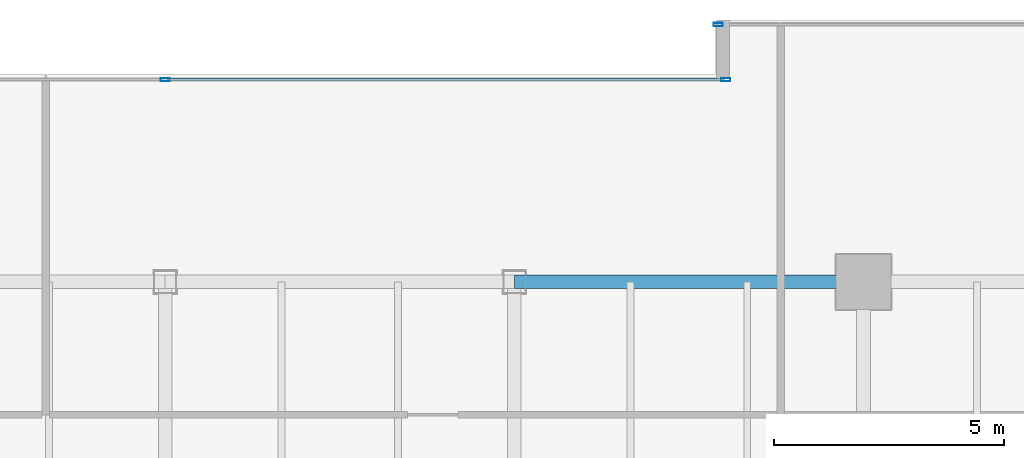
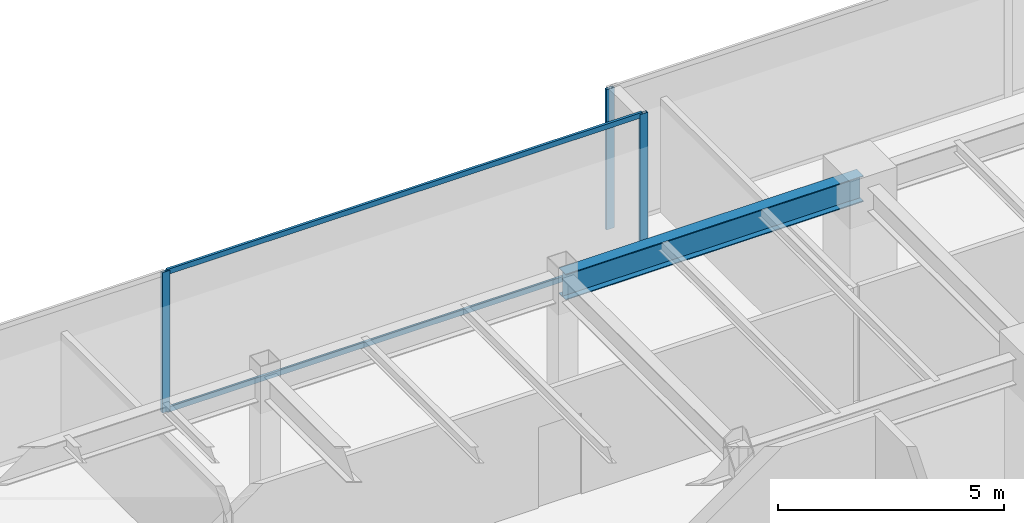
# One storey, part 18 of 33: 5 members, 1 beam, 2 elements without a shape of their own.
"""IFC4 building model written with IfcOpenShell, lengths in metres."""

from ifc_helpers import new_model, si_unit, direction, frame, origin, origin_2d, place, context, subcontext, project, spatial, hollow_rectangle, i_section, extrude, source, transform, mapped, material, layer, layer_set, material_profile, profile_set, type_object, type_shapes, element, aggregate, save


model = new_model("IFC4")

# Units and contexts
model_context = context("Model", 3, precision=1e-05, world=origin(), true_north=direction((0.0, 1.0)))
body_context = subcontext(model_context, "Body", "Model", "MODEL_VIEW")
ifc_project = project(units=[si_unit("LENGTHUNIT", "METRE"), si_unit("AREAUNIT", "SQUARE_METRE"), si_unit("VOLUMEUNIT", "CUBIC_METRE"), si_unit("PLANEANGLEUNIT", "RADIAN"), si_unit("MASSUNIT", "GRAM", prefix="KILO")], contexts=[model_context])

# Site, building, storey
site_placement = place(None, origin())
site = spatial("IfcSite", under=ifc_project, at=site_placement, CompositionType="ELEMENT")
building_placement = place(site_placement, origin())
building = spatial("IfcBuilding", under=site, at=building_placement, Name="Haelvirn Gate Laboratories", CompositionType="ELEMENT")
storey_placement = place(building_placement, frame((0.0, 0.0, 117.39990234375)))
storey = spatial("IfcBuildingStorey", under=building, at=storey_placement, Name="L28", CompositionType="ELEMENT", Elevation=117.39990234375)

# Beam
ifc_material_1 = material(Name="Steel SM355", Category="steel")
ifc_material_profile_1 = material_profile(ifc_material_1, i_section(OverallWidth=0.300048828125, OverallDepth=0.699951171875, WebThickness=0.012939453125, FlangeThickness=0.02392578125, at=origin_2d()), Name="H-700x300x13x24")
ifc_profile_set_1 = profile_set([ifc_material_profile_1], Name="Steel SM355")
beam_type = type_object("IfcBeamType", Name="BM-G-700", PredefinedType="BEAM", material=ifc_profile_set_1)
shared_shape_1 = source(origin(), body_context, "Body", "SweptSolid", [
    extrude(i_section(OverallWidth=0.300048828125, OverallDepth=0.699951171875, WebThickness=0.012939453125, FlangeThickness=0.02392578125, at=origin_2d()), origin(), (0.0, 0.0, 1.0), 7.60009765625),
])
type_shapes(beam_type, [shared_shape_1])
beam_placement = place(storey_placement, frame((45.0, 41.60009765625, 3.440185546875), z_axis=(1.0, 0.0, 0.0), x_axis=(0.0, 1.0, 0.0)))
element("IfcBeam", 1, at=beam_placement, inside=storey, type_object=beam_type, Name="L28 Primary Girder Y41.6 (45.0-52.6)", PredefinedType="BEAM", context=body_context, shape_type="MappedRepresentation", body=[
    mapped(shared_shape_1, transform((0.0, 0.0, 0.0), scale=1.0)),
])

# Curtain wall, members
ifc_material_2 = material(Name="Anodised bronze unitised aluminium & triple low-E glass", Category="aluminium")
ifc_layer = layer(ifc_material_2, 0.179931640625, Name="CW-SYS-3")
ifc_layer_set = layer_set([ifc_layer], Name="Anodised bronze unitised aluminium & triple low-E glass")
curtain_wall_type = type_object("IfcCurtainWallType", Name="CW-SYS-3", PredefinedType="NOTDEFINED", material=ifc_layer_set)
curtain_wall_1_placement = place(storey_placement, origin())
curtain_wall_1 = element("IfcCurtainWall", 2, at=curtain_wall_1_placement, inside=storey, type_object=curtain_wall_type, Name="L28 Unitised Curtain Wall CW-L28-P0-E12-1", PredefinedType="NOTDEFINED")
ifc_material_3 = material(Name="Extruded aluminium 6063-T6 (anodised bronze)", Category="aluminium")
ifc_material_profile_2 = material_profile(ifc_material_3, hollow_rectangle(XDim=0.06494140625, YDim=0.139892578125, WallThickness=0.00390625, at=origin_2d()), Name="CWT-140x65x4")
ifc_profile_set_2 = profile_set([ifc_material_profile_2], Name="Extruded aluminium 6063-T6 (anodised bronze)")
member_type_1 = type_object("IfcMemberType", Name="CWT-T140", PredefinedType="USERDEFINED", material=ifc_profile_set_2)
shared_shape_2 = source(origin(), body_context, "Body", "SweptSolid", [
    extrude(hollow_rectangle(XDim=0.06494140625, YDim=0.139892578125, WallThickness=0.00390625, at=origin_2d()), origin(), (0.0, 0.0, 1.0), 12.12744140625),
])
type_shapes(member_type_1, [shared_shape_2])
member_1_placement = place(storey_placement, frame((37.4375, 46.0, 0.03271484375), z_axis=(1.0, 0.0, 0.0), x_axis=(0.0, 1.0, 0.0)))
member_1 = element("IfcMember", 3, at=member_1_placement, type_object=member_type_1, Name="CW3 transom 2.1", ObjectType="TRANSOM", PredefinedType="USERDEFINED", context=body_context, shape_type="MappedRepresentation", body=[
    mapped(shared_shape_2, transform((0.0, 0.0, 0.0), scale=1.0)),
])
member_2_placement = place(storey_placement, frame((37.4375, 46.0, 3.757568359375), z_axis=(1.0, 0.0, 0.0), x_axis=(0.0, 1.0, 0.0)))
member_2 = element("IfcMember", 4, at=member_2_placement, type_object=member_type_1, Name="CW3 transom 2.2", ObjectType="TRANSOM", PredefinedType="USERDEFINED", context=body_context, shape_type="MappedRepresentation", body=[
    mapped(shared_shape_2, transform((0.0, 0.0, 0.0), scale=1.0)),
])

# Curtain wall, member
curtain_wall_2_placement = place(storey_placement, origin())
curtain_wall_2 = element("IfcCurtainWall", 5, at=curtain_wall_2_placement, inside=storey, type_object=curtain_wall_type, Name="L28 Unitised Curtain Wall CW-L28-P0-E10-1", PredefinedType="NOTDEFINED")
ifc_material_profile_3 = material_profile(ifc_material_3, hollow_rectangle(XDim=0.074951171875, YDim=0.199951171875, WallThickness=0.0048828125, at=origin_2d()), Name="CWM-200x75x5")
ifc_profile_set_3 = profile_set([ifc_material_profile_3], Name="Extruded aluminium 6063-T6 (anodised bronze)")
member_type_2 = type_object("IfcMemberType", Name="CWM-T200", PredefinedType="MULLION", material=ifc_profile_set_3)
shared_shape_3 = source(origin(), body_context, "Body", "SweptSolid", [
    extrude(hollow_rectangle(XDim=0.074951171875, YDim=0.199951171875, WallThickness=0.0048828125, at=origin_2d()), origin(), (0.0, 0.0, 1.0), 3.7900390625),
])
type_shapes(member_type_2, [shared_shape_3])
member_3_placement = place(storey_placement, frame((49.4375, 47.199951171875, 0.0), z_axis=(0.0, 0.0, 1.0), x_axis=(0.0, 1.0, 0.0)))
member_3 = element("IfcMember", 6, at=member_3_placement, type_object=member_type_2, Name="CW3 mullion 1", PredefinedType="MULLION", context=body_context, shape_type="MappedRepresentation", body=[
    mapped(shared_shape_3, transform((0.0, 0.0, 0.0), scale=1.0)),
])
aggregate(curtain_wall_2, [member_3])

# Member
member_4_placement = place(storey_placement, frame((37.39990234375, 46.0, 0.0), z_axis=(0.0, 0.0, 1.0), x_axis=(0.0, 1.0, 0.0)))
member_4 = element("IfcMember", 7, at=member_4_placement, type_object=member_type_2, Name="CW3 mullion 2", PredefinedType="MULLION", context=body_context, shape_type="MappedRepresentation", body=[
    mapped(shared_shape_3, transform((0.0, 0.0, 0.0), scale=1.0)),
])

member_5_placement = place(storey_placement, frame((49.6025390625, 46.0, 0.0), z_axis=(0.0, 0.0, 1.0), x_axis=(0.0, 1.0, 0.0)))
member_5 = element("IfcMember", 8, at=member_5_placement, type_object=member_type_2, Name="CW3 mullion 3", PredefinedType="MULLION", context=body_context, shape_type="MappedRepresentation", body=[
    mapped(shared_shape_3, transform((0.0, 0.0, 0.0), scale=1.0)),
])

aggregate(curtain_wall_1, [member_4, member_5, member_1, member_2])

save(model, "model.ifc")
